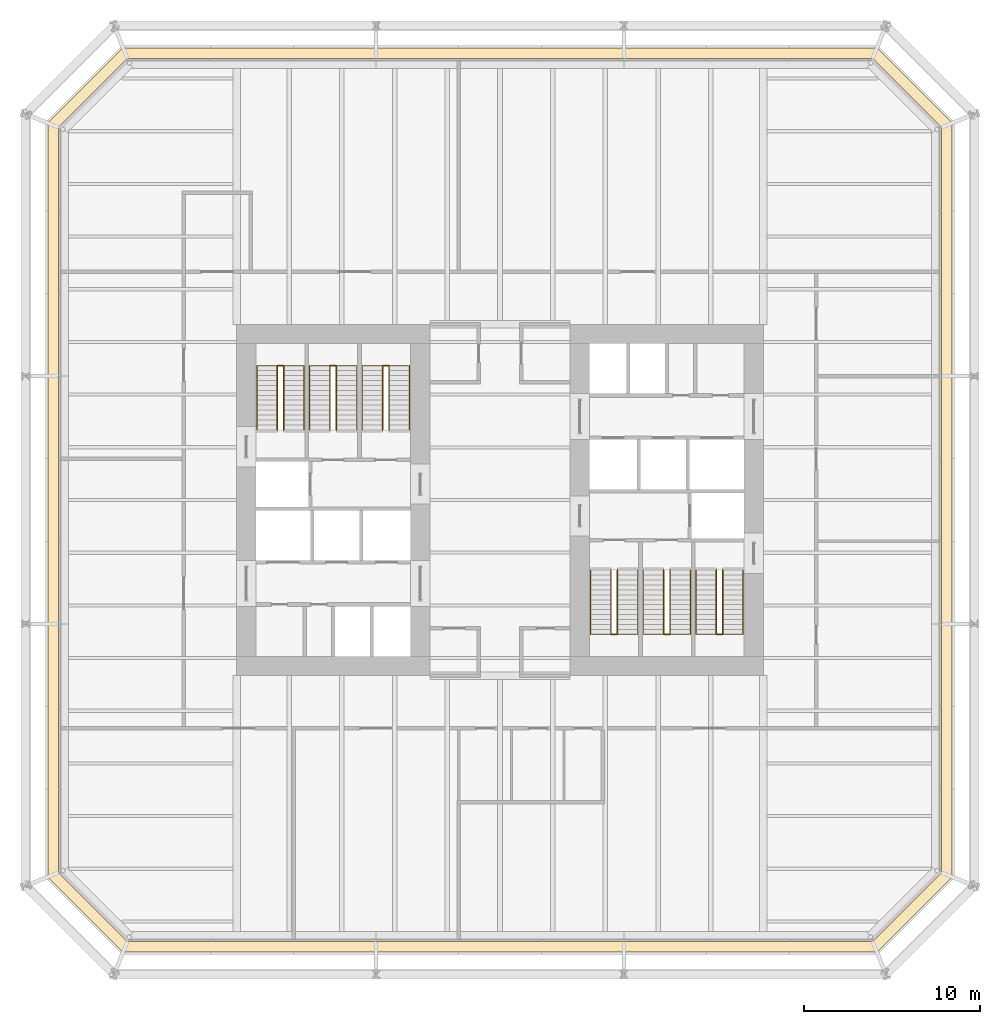
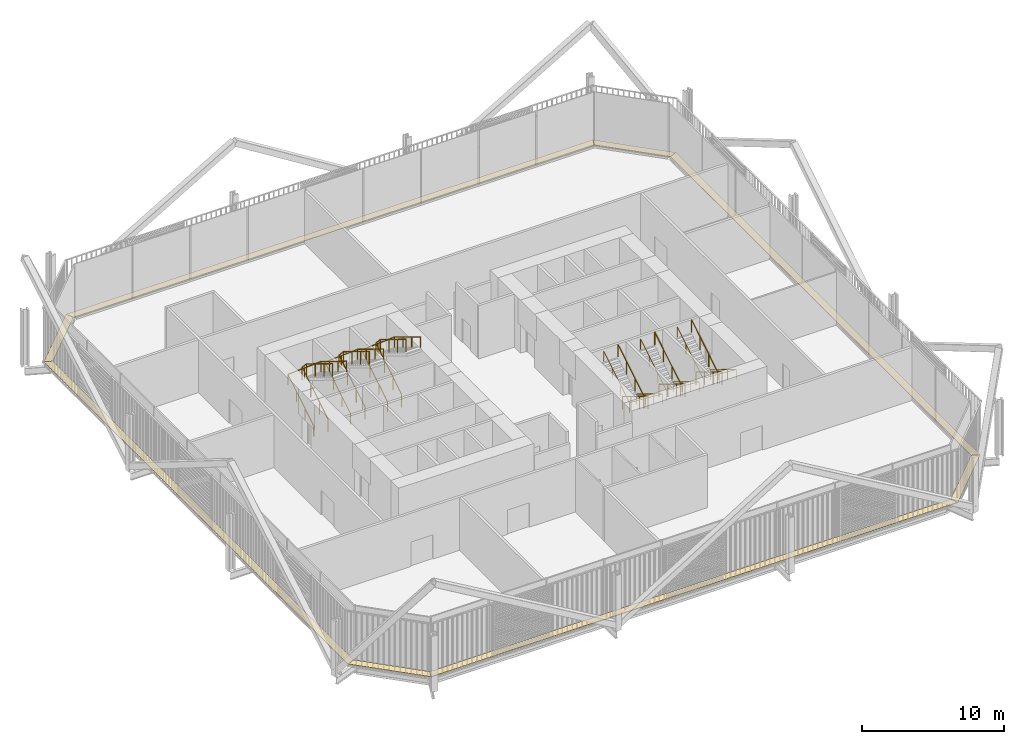
# One storey, part 22 of 22: 12 railings, 8 coverings.
"""IFC4 building model written with IfcOpenShell, lengths in metres."""

import ifcopenshell
import ifcopenshell.guid

model = None  # the IFC model being written
_history = None  # IfcOwnerHistory: only IFC2X3 demands one
_inside = {}  # id of a spatial element -> (the spatial element, [elements in it])
_under = {}  # id of a project, library or spatial element -> (it, [spatial elements below it])
_declared = {}  # id of a project -> (the project, [libraries it declares])
_typed = {}  # id of a type object -> (the type object, [elements of that type])
_made_of = {}  # id of a material, layer set ... -> (it, [elements and type objects made of it])


def new_model(schema):
    """Start an empty IFC model of exactly this schema.

    Asked for "IFC4X3", IfcOpenShell would pick the latest addendum, in which some entities
    have other attributes; the version numbers below select the first issue.
    IFC2X3 requires an IfcOwnerHistory on every rooted entity: one is made here for all.
    """
    global model, _history
    if schema == "IFC4X3":
        model = ifcopenshell.file(schema_version=(4, 3, 0, 0))
    else:
        model = ifcopenshell.file(schema=schema)
    _inside.clear()
    _under.clear()
    _declared.clear()
    _typed.clear()
    _made_of.clear()
    _history = None
    if model.schema == "IFC2X3":
        org = make("IfcOrganization", Name="unknown")
        user = make(
            "IfcPersonAndOrganization",
            ThePerson=make("IfcPerson", FamilyName="unknown"),
            TheOrganization=org,
        )
        app = make(
            "IfcApplication",
            ApplicationDeveloper=org,
            Version="unknown",
            ApplicationFullName="unknown",
            ApplicationIdentifier="unknown",
        )
        _history = make(
            "IfcOwnerHistory",
            OwningUser=user,
            OwningApplication=app,
            ChangeAction="ADDED",
            CreationDate=0,
        )
    return model


def make(cls, **values):
    """One entity of the class cls with the attributes given. An attribute that is None is left unset."""
    return model.create_entity(
        cls, **{name: value for name, value in values.items() if value is not None}
    )


def rooted(cls, **values):
    """An entity with a GlobalId (a new one), such as an element, a storey or a relation."""
    return make(cls, GlobalId=ifcopenshell.guid.new(), OwnerHistory=_history, **values)


def si_unit(unit_type, name, prefix=None):
    """IfcSIUnit, for example si_unit("LENGTHUNIT", "METRE", prefix="MILLI")."""
    return make("IfcSIUnit", UnitType=unit_type, Prefix=prefix, Name=name)


def assignment(units):
    """IfcUnitAssignment: the units of a project."""
    return None if units is None else make("IfcUnitAssignment", Units=units)


def point(xyz):
    """IfcCartesianPoint."""
    return None if xyz is None else make("IfcCartesianPoint", Coordinates=xyz)


def direction(xyz):
    """IfcDirection."""
    return None if xyz is None else make("IfcDirection", DirectionRatios=xyz)


def frame(location, z_axis=None, x_axis=None):
    """IfcAxis2Placement3D, a coordinate frame: its origin and axes. An axis left out is left unset."""
    return make(
        "IfcAxis2Placement3D",
        Location=point(location),
        Axis=direction(z_axis),
        RefDirection=direction(x_axis),
    )


def frame_2d(location, x_axis=None):
    """IfcAxis2Placement2D, a coordinate frame in the plane: its origin and x axis."""
    return make(
        "IfcAxis2Placement2D", Location=point(location), RefDirection=direction(x_axis)
    )


def origin():
    """The frame at (0, 0, 0) with its axes left unset."""
    return frame((0.0, 0.0, 0.0))


def origin_2d():
    """The frame at (0, 0) in the plane with its x axis left unset."""
    return frame_2d((0.0, 0.0))


def place(relative_to, where):
    """IfcLocalPlacement: puts the frame where relative to a parent placement (None: the world)."""
    return make(
        "IfcLocalPlacement", PlacementRelTo=relative_to, RelativePlacement=where
    )


def context(
    kind, dimensions, precision=None, world=None, true_north=None, identifier=None
):
    """IfcGeometricRepresentationContext, for example the 3D "Model" context."""
    return make(
        "IfcGeometricRepresentationContext",
        ContextIdentifier=identifier,
        ContextType=kind,
        CoordinateSpaceDimension=dimensions,
        Precision=precision,
        WorldCoordinateSystem=world,
        TrueNorth=true_north,
    )


def subcontext(parent, identifier, kind, view, scale=None):
    """IfcGeometricRepresentationSubContext, for example "Body" below "Model"."""
    return make(
        "IfcGeometricRepresentationSubContext",
        ContextIdentifier=identifier,
        ContextType=kind,
        ParentContext=parent,
        TargetScale=scale,
        TargetView=view,
    )


def project(units=None, contexts=None):
    """IfcProject with its units and contexts."""
    return rooted(
        "IfcProject",
        Name="project",
        RepresentationContexts=contexts,
        UnitsInContext=assignment(units),
    )


def spatial(cls, under=None, at=None, **own):
    """A site, building, storey or space (cls), placed at a placement, below another one or the project."""
    s = rooted(cls, ObjectPlacement=at, **own)
    if under is not None:
        _under.setdefault(under.id(), (under, []))[1].append(s)
    return s


def polyline(points):
    """IfcPolyline through the points."""
    return make("IfcPolyline", Points=[point(p) for p in points])


def profile(cls, at=None, kind="AREA", **sizes):
    """A parametric profile (cls). Its sizes go by their IFC names, for example OverallWidth=200.0."""
    return make(cls, ProfileType=kind, Position=at, **sizes)


def circle(**sizes):
    """IfcCircleProfileDef."""
    return profile("IfcCircleProfileDef", **sizes)


def outline(outer, holes=None, kind="AREA"):
    """IfcArbitraryClosedProfileDef: a profile drawn as a closed curve; with holes, ...WithVoids."""
    if holes is None:
        return make("IfcArbitraryClosedProfileDef", ProfileType=kind, OuterCurve=outer)
    return make(
        "IfcArbitraryProfileDefWithVoids",
        ProfileType=kind,
        OuterCurve=outer,
        InnerCurves=holes,
    )


def extrude(swept, where, along, depth):
    """IfcExtrudedAreaSolid: the profile swept, set in the frame where, extruded along a direction by depth."""
    return make(
        "IfcExtrudedAreaSolid",
        SweptArea=swept,
        Position=where,
        ExtrudedDirection=direction(along),
        Depth=depth,
    )


def shape(context_of_items, identifier, shape_type, items):
    """IfcShapeRepresentation: the items that make up one representation, for example the "Body"."""
    return make(
        "IfcShapeRepresentation",
        ContextOfItems=context_of_items,
        RepresentationIdentifier=identifier,
        RepresentationType=shape_type,
        Items=items,
    )


def material(Name=None, Category=None):
    """IfcMaterial."""
    return make("IfcMaterial", Name=Name, Category=Category)


def layer(
    of_material, thickness, ventilated=None, Name=None, Category=None, Priority=None
):
    """IfcMaterialLayer: one layer of a wall or slab, of a material (None: an air gap)."""
    return make(
        "IfcMaterialLayer",
        Material=of_material,
        LayerThickness=thickness,
        IsVentilated=ventilated,
        Name=Name,
        Category=Category,
        Priority=Priority,
    )


def layer_set(layers, Name=None):
    """IfcMaterialLayerSet."""
    return make("IfcMaterialLayerSet", MaterialLayers=layers, LayerSetName=Name)


def made_of(thing, what):
    """Note that an element or type object is made of a material, layer set ...; save() writes the relation."""
    if what is not None:
        _made_of.setdefault(what.id(), (what, []))[1].append(thing)
    return thing


def type_object(cls, material=None, **own):
    """A type object (cls), such as IfcWallType, which elements share."""
    return made_of(rooted(cls, **own), material)


def element(
    cls,
    number,
    at=None,
    inside=None,
    cuts=None,
    type_object=None,
    material=None,
    context=None,
    identifier="Body",
    shape_type=None,
    held_by="IfcProductDefinitionShape",
    body=None,
    shapes=None,
    **own,
):
    """One element of the class cls, such as IfcWall. Its Tag is "e" and its number.

    at: its placement. inside: the storey or other place that contains it. cuts: it is an
    opening in that element (IfcRelVoidsElement). A single representation is given by context,
    identifier, shape_type and body (its items); several are given by shapes. held_by: the class
    of the entity that holds the representations. save() writes the other relations.
    """
    e = rooted(cls, Tag="e%d" % number, ObjectPlacement=at, **own)
    if body is not None:
        shapes = [shape(context, identifier, shape_type, body)]
    if shapes is not None:
        e.Representation = make(held_by, Representations=shapes)
    if inside is not None:
        _inside.setdefault(inside.id(), (inside, []))[1].append(e)
    if cuts is not None:
        rooted(
            "IfcRelVoidsElement", RelatingBuildingElement=cuts, RelatedOpeningElement=e
        )
    if type_object is not None:
        _typed.setdefault(type_object.id(), (type_object, []))[1].append(e)
    return made_of(e, material)


def aggregate(whole, parts):
    """IfcRelAggregates: a whole, such as a stair, and the parts it consists of."""
    return rooted("IfcRelAggregates", RelatingObject=whole, RelatedObjects=parts)


def save(model, path):
    """Write the relations noted so far, then the file.

    IfcRelAggregates (storeys below a building ...), IfcRelContainedInSpatialStructure (elements
    in a storey), IfcRelDefinesByType, IfcRelAssociatesMaterial and IfcRelDeclares: one each for
    every whole, place, type object, material and project.
    """
    for whole, parts in _under.values():
        aggregate(whole, parts)
    for where, things in _inside.values():
        rooted(
            "IfcRelContainedInSpatialStructure",
            RelatedElements=things,
            RelatingStructure=where,
        )
    for kind, things in _typed.values():
        rooted("IfcRelDefinesByType", RelatedObjects=things, RelatingType=kind)
    for what, things in _made_of.values():
        rooted("IfcRelAssociatesMaterial", RelatedObjects=things, RelatingMaterial=what)
    for by, libraries in _declared.values():
        rooted("IfcRelDeclares", RelatingContext=by, RelatedDefinitions=libraries)
    model.write(path)


model = new_model("IFC4")

# Units and contexts
model_context = context("Model", 3, precision=1e-05, world=origin(), true_north=direction((0.0, 1.0)))
body_context = subcontext(model_context, "Body", "Model", "MODEL_VIEW")
ifc_project = project(units=[si_unit("LENGTHUNIT", "METRE"), si_unit("AREAUNIT", "SQUARE_METRE"), si_unit("VOLUMEUNIT", "CUBIC_METRE"), si_unit("PLANEANGLEUNIT", "RADIAN"), si_unit("MASSUNIT", "GRAM", prefix="KILO")], contexts=[model_context])

# Site, building, storey
site_placement = place(None, origin())
site = spatial("IfcSite", under=ifc_project, at=site_placement, CompositionType="ELEMENT")
building_placement = place(site_placement, origin())
building = spatial("IfcBuilding", under=site, at=building_placement, Name="Millrace Tower", CompositionType="ELEMENT")
storey_placement = place(building_placement, frame((0.0, 0.0, 20.89990234375)))
storey = spatial("IfcBuildingStorey", under=building, at=storey_placement, Name="L05", CompositionType="ELEMENT", Elevation=20.89990234375)

# Coverings
ifc_material_1 = material(Name="Steel ASTM A36", Category="steel")
ifc_layer = layer(ifc_material_1, 0.050048828125)
ifc_layer_set = layer_set([ifc_layer], Name="Steel ASTM A36")
covering_type = type_object("IfcCoveringType", Name="CAVITY CATWALK steel grating", PredefinedType="FLOORING", material=ifc_layer_set)
placement = place(storey_placement, frame((0.0, 0.0, 0.10009765625)))
element("IfcCovering", 1, at=placement, inside=storey, type_object=covering_type, Name="Cavity catwalk grating A-F01 L05 1", PredefinedType="FLOORING", context=body_context, shape_type="SweptSolid", body=[
    extrude(outline(polyline([(-25.75, -21.460693359375), (-21.460693359375, -25.75), (-21.212158203125, -25.14990234375), (-25.14990234375, -21.212158203125), (-25.75, -21.460693359375)])), origin(), (0.0, 0.0, 1.0), 0.050048828125),
])
element("IfcCovering", 2, at=placement, inside=storey, type_object=covering_type, Name="Cavity catwalk grating A-F02 L05 1", PredefinedType="FLOORING", context=body_context, shape_type="SweptSolid", body=[
    extrude(outline(polyline([(-21.460693359375, -25.75), (21.460693359375, -25.75), (21.212158203125, -25.14990234375), (-21.212158203125, -25.14990234375), (-21.460693359375, -25.75)])), origin(), (0.0, 0.0, 1.0), 0.050048828125),
])
element("IfcCovering", 3, at=placement, inside=storey, type_object=covering_type, Name="Cavity catwalk grating A-F03 L05 1", PredefinedType="FLOORING", context=body_context, shape_type="SweptSolid", body=[
    extrude(outline(polyline([(21.460693359375, -25.75), (25.75, -21.460693359375), (25.14990234375, -21.212158203125), (21.212158203125, -25.14990234375), (21.460693359375, -25.75)])), origin(), (0.0, 0.0, 1.0), 0.050048828125),
])
element("IfcCovering", 4, at=placement, inside=storey, type_object=covering_type, Name="Cavity catwalk grating A-F04 L05 1", PredefinedType="FLOORING", context=body_context, shape_type="SweptSolid", body=[
    extrude(outline(polyline([(25.75, -21.460693359375), (25.75, 21.460693359375), (25.14990234375, 21.212158203125), (25.14990234375, -21.212158203125), (25.75, -21.460693359375)])), origin(), (0.0, 0.0, 1.0), 0.050048828125),
])
element("IfcCovering", 5, at=placement, inside=storey, type_object=covering_type, Name="Cavity catwalk grating A-F05 L05 1", PredefinedType="FLOORING", context=body_context, shape_type="SweptSolid", body=[
    extrude(outline(polyline([(25.75, 21.460693359375), (21.460693359375, 25.75), (21.212158203125, 25.14990234375), (25.14990234375, 21.212158203125), (25.75, 21.460693359375)])), origin(), (0.0, 0.0, 1.0), 0.050048828125),
])
element("IfcCovering", 6, at=placement, inside=storey, type_object=covering_type, Name="Cavity catwalk grating A-F06 L05 1", PredefinedType="FLOORING", context=body_context, shape_type="SweptSolid", body=[
    extrude(outline(polyline([(21.460693359375, 25.75), (-21.460693359375, 25.75), (-21.212158203125, 25.14990234375), (21.212158203125, 25.14990234375), (21.460693359375, 25.75)])), origin(), (0.0, 0.0, 1.0), 0.050048828125),
])
element("IfcCovering", 7, at=placement, inside=storey, type_object=covering_type, Name="Cavity catwalk grating A-F07 L05 1", PredefinedType="FLOORING", context=body_context, shape_type="SweptSolid", body=[
    extrude(outline(polyline([(-21.460693359375, 25.75), (-25.75, 21.460693359375), (-25.14990234375, 21.212158203125), (-21.212158203125, 25.14990234375), (-21.460693359375, 25.75)])), origin(), (0.0, 0.0, 1.0), 0.050048828125),
])
element("IfcCovering", 8, at=placement, inside=storey, type_object=covering_type, Name="Cavity catwalk grating A-F08 L05 1", PredefinedType="FLOORING", context=body_context, shape_type="SweptSolid", body=[
    extrude(outline(polyline([(-25.75, 21.460693359375), (-25.75, -21.460693359375), (-25.14990234375, -21.212158203125), (-25.14990234375, 21.212158203125), (-25.75, 21.460693359375)])), origin(), (0.0, 0.0, 1.0), 0.050048828125),
])

# Railings
ifc_material_2 = material(Name="Stainless steel ASTM A240 type 316", Category="steel")
railing_type_1 = type_object("IfcRailingType", Name="Stair guard 1100", PredefinedType="GUARDRAIL", material=ifc_material_2)
for number, where, name in (
    (9, (-12.679931640625, 4.0, 0.17138671875), "Stair guard 1 W L05"),
    (10, (-9.679931640625, 4.0, 0.17138671875), "Stair guard 2 W L05"),
    (11, (-6.679931640625, 4.0, 0.17138671875), "Stair guard 3 W L05"),
):
    element("IfcRailing", number, at=place(storey_placement, frame(where)), inside=storey, type_object=railing_type_1, Name=name, PredefinedType="GUARDRAIL", context=body_context, shape_type="SweptSolid", body=[
        extrude(circle(Radius=0.02392578125, at=origin_2d()), frame((0.0, 0.0, 1.076171875), z_axis=(0.0, 0.852824790078, 0.522197163366), x_axis=(-1.0, 0.0, 0.0)), (0.0, 0.0, 1.0), 4.26806640625),
        extrude(circle(Radius=0.02392578125, at=origin_2d()), frame((0.0, 3.639892578125, 3.3046875), z_axis=(0.902837873996, 0.0, 0.429981131306), x_axis=(0.0, 1.0, 0.0)), (0.0, 0.0, 1.0), 0.398681640625),
        extrude(circle(Radius=0.02392578125, at=origin_2d()), frame((0.35986328125, 3.639892578125, 3.47607421875), z_axis=(0.0, -0.852850264322, 0.5221555579), x_axis=(1.0, 0.0, 0.0)), (0.0, 0.0, 1.0), 4.267822265625),
        extrude(circle(Radius=0.02099609375, at=origin_2d()), origin(), (0.0, 0.0, 1.0), 1.052001953125),
        extrude(circle(Radius=0.02099609375, at=origin_2d()), frame((0.0, 1.21337890625, 0.742919921875)), (0.0, 0.0, 1.0), 1.052001953125),
        extrude(circle(Radius=0.02099609375, at=origin_2d()), frame((0.0, 2.426513671875, 1.48583984375)), (0.0, 0.0, 1.0), 1.052001953125),
        extrude(circle(Radius=0.02099609375, at=origin_2d()), frame((0.0, 3.639892578125, 2.228759765625)), (0.0, 0.0, 1.0), 1.052001953125),
        extrude(circle(Radius=0.02099609375, at=origin_2d()), frame((0.35986328125, 3.639892578125, 2.400146484375)), (0.0, 0.0, 1.0), 1.052001953125),
        extrude(circle(Radius=0.02099609375, at=origin_2d()), frame((0.35986328125, 2.426513671875, 3.14306640625)), (0.0, 0.0, 1.0), 1.052001953125),
        extrude(circle(Radius=0.02099609375, at=origin_2d()), frame((0.35986328125, 1.21337890625, 3.8857421875)), (0.0, 0.0, 1.0), 1.052001953125),
        extrude(circle(Radius=0.02099609375, at=origin_2d()), frame((0.35986328125, 0.0, 4.628662109375)), (0.0, 0.0, 1.0), 1.052001953125),
    ])
for number, where, name in (
    (12, (12.679931640625, -4.0, 0.17138671875), "Stair guard 1 E L05"),
    (13, (9.679931640625, -4.0, 0.17138671875), "Stair guard 2 E L05"),
    (14, (6.679931640625, -4.0, 0.17138671875), "Stair guard 3 E L05"),
):
    element("IfcRailing", number, at=place(storey_placement, frame(where)), inside=storey, type_object=railing_type_1, Name=name, PredefinedType="GUARDRAIL", context=body_context, shape_type="SweptSolid", body=[
        extrude(circle(Radius=0.02392578125, at=origin_2d()), frame((0.0, 0.0, 1.076171875), z_axis=(0.0, -0.852824790078, 0.522197163366), x_axis=(1.0, 0.0, 0.0)), (0.0, 0.0, 1.0), 4.26806640625),
        extrude(circle(Radius=0.02392578125, at=origin_2d()), frame((0.0, -3.639892578125, 3.3046875), z_axis=(-0.902837873996, 0.0, 0.429981131306), x_axis=(0.0, -1.0, 0.0)), (0.0, 0.0, 1.0), 0.398681640625),
        extrude(circle(Radius=0.02392578125, at=origin_2d()), frame((-0.35986328125, -3.639892578125, 3.47607421875), z_axis=(0.0, 0.852850264322, 0.5221555579), x_axis=(-1.0, 0.0, 0.0)), (0.0, 0.0, 1.0), 4.267822265625),
        extrude(circle(Radius=0.02099609375, at=origin_2d()), origin(), (0.0, 0.0, 1.0), 1.052001953125),
        extrude(circle(Radius=0.02099609375, at=origin_2d()), frame((0.0, -1.21337890625, 0.742919921875)), (0.0, 0.0, 1.0), 1.052001953125),
        extrude(circle(Radius=0.02099609375, at=origin_2d()), frame((0.0, -2.426513671875, 1.48583984375)), (0.0, 0.0, 1.0), 1.052001953125),
        extrude(circle(Radius=0.02099609375, at=origin_2d()), frame((0.0, -3.639892578125, 2.228759765625)), (0.0, 0.0, 1.0), 1.052001953125),
        extrude(circle(Radius=0.02099609375, at=origin_2d()), frame((-0.35986328125, -3.639892578125, 2.400146484375)), (0.0, 0.0, 1.0), 1.052001953125),
        extrude(circle(Radius=0.02099609375, at=origin_2d()), frame((-0.35986328125, -2.426513671875, 3.14306640625)), (0.0, 0.0, 1.0), 1.052001953125),
        extrude(circle(Radius=0.02099609375, at=origin_2d()), frame((-0.35986328125, -1.21337890625, 3.8857421875)), (0.0, 0.0, 1.0), 1.052001953125),
        extrude(circle(Radius=0.02099609375, at=origin_2d()), frame((-0.35986328125, 0.0, 4.628662109375)), (0.0, 0.0, 1.0), 1.052001953125),
    ])
ifc_material_3 = material(Name="Stainless steel ASTM A240 type 316", Category="steel")
railing_type_2 = type_object("IfcRailingType", Name="Stair handrail 900", PredefinedType="HANDRAIL", material=ifc_material_3)
railing_1_placement = place(storey_placement, frame((-13.840087890625, 4.0, 0.17138671875)))
element("IfcRailing", 15, at=railing_1_placement, inside=storey, type_object=railing_type_2, Name="Stair handrail 1 W L05", PredefinedType="HANDRAIL", context=body_context, shape_type="SweptSolid", body=[
    extrude(circle(Radius=0.02392578125, at=origin_2d()), frame((0.0, 0.0, 0.8759765625), z_axis=(0.0, 0.852824790078, 0.522197163366), x_axis=(-1.0, 0.0, 0.0)), (0.0, 0.0, 1.0), 4.26806640625),
    extrude(circle(Radius=0.02392578125, at=origin_2d()), frame((0.0, 3.639892578125, 3.1044921875), z_axis=(0.9979616988, 0.0, 0.063815732607), x_axis=(0.0, 1.0, 0.0)), (0.0, 0.0, 1.0), 2.685546875),
    extrude(circle(Radius=0.02392578125, at=origin_2d()), frame((2.68017578125, 3.639892578125, 3.27587890625), z_axis=(0.0, -0.852850264322, 0.5221555579), x_axis=(1.0, 0.0, 0.0)), (0.0, 0.0, 1.0), 4.267822265625),
    extrude(circle(Radius=0.02099609375, at=origin_2d()), origin(), (0.0, 0.0, 1.0), 0.851806640625),
    extrude(circle(Radius=0.02099609375, at=origin_2d()), frame((0.0, 1.21337890625, 0.742919921875)), (0.0, 0.0, 1.0), 0.851806640625),
    extrude(circle(Radius=0.02099609375, at=origin_2d()), frame((0.0, 2.426513671875, 1.48583984375)), (0.0, 0.0, 1.0), 0.851806640625),
    extrude(circle(Radius=0.02099609375, at=origin_2d()), frame((0.0, 3.639892578125, 2.228759765625)), (0.0, 0.0, 1.0), 0.851806640625),
    extrude(circle(Radius=0.02099609375, at=origin_2d()), frame((1.340087890625, 3.639892578125, 2.314453125)), (0.0, 0.0, 1.0), 0.851806640625),
    extrude(circle(Radius=0.02099609375, at=origin_2d()), frame((2.68017578125, 3.639892578125, 2.400146484375)), (0.0, 0.0, 1.0), 0.851806640625),
    extrude(circle(Radius=0.02099609375, at=origin_2d()), frame((2.68017578125, 2.426513671875, 3.14306640625)), (0.0, 0.0, 1.0), 0.851806640625),
    extrude(circle(Radius=0.02099609375, at=origin_2d()), frame((2.68017578125, 1.21337890625, 3.8857421875)), (0.0, 0.0, 1.0), 0.851806640625),
    extrude(circle(Radius=0.02099609375, at=origin_2d()), frame((2.68017578125, 0.0, 4.628662109375)), (0.0, 0.0, 1.0), 0.851806640625),
])
railing_2_placement = place(storey_placement, frame((-10.840087890625, 4.0, 0.17138671875)))
element("IfcRailing", 16, at=railing_2_placement, inside=storey, type_object=railing_type_2, Name="Stair handrail 2 W L05", PredefinedType="HANDRAIL", context=body_context, shape_type="SweptSolid", body=[
    extrude(circle(Radius=0.02392578125, at=origin_2d()), frame((0.0, 0.0, 0.8759765625), z_axis=(0.0, 0.852824790078, 0.522197163366), x_axis=(-1.0, 0.0, 0.0)), (0.0, 0.0, 1.0), 4.26806640625),
    extrude(circle(Radius=0.02392578125, at=origin_2d()), frame((0.0, 3.639892578125, 3.1044921875), z_axis=(0.9979616988, 0.0, 0.063815732607), x_axis=(0.0, 1.0, 0.0)), (0.0, 0.0, 1.0), 2.685546875),
    extrude(circle(Radius=0.02392578125, at=origin_2d()), frame((2.68017578125, 3.639892578125, 3.27587890625), z_axis=(0.0, -0.852850264322, 0.5221555579), x_axis=(1.0, 0.0, 0.0)), (0.0, 0.0, 1.0), 4.267822265625),
    extrude(circle(Radius=0.02099609375, at=origin_2d()), origin(), (0.0, 0.0, 1.0), 0.851806640625),
    extrude(circle(Radius=0.02099609375, at=origin_2d()), frame((0.0, 1.21337890625, 0.742919921875)), (0.0, 0.0, 1.0), 0.851806640625),
    extrude(circle(Radius=0.02099609375, at=origin_2d()), frame((0.0, 2.426513671875, 1.48583984375)), (0.0, 0.0, 1.0), 0.851806640625),
    extrude(circle(Radius=0.02099609375, at=origin_2d()), frame((0.0, 3.639892578125, 2.228759765625)), (0.0, 0.0, 1.0), 0.851806640625),
    extrude(circle(Radius=0.02099609375, at=origin_2d()), frame((1.340087890625, 3.639892578125, 2.314453125)), (0.0, 0.0, 1.0), 0.851806640625),
    extrude(circle(Radius=0.02099609375, at=origin_2d()), frame((2.68017578125, 3.639892578125, 2.400146484375)), (0.0, 0.0, 1.0), 0.851806640625),
    extrude(circle(Radius=0.02099609375, at=origin_2d()), frame((2.68017578125, 2.426513671875, 3.14306640625)), (0.0, 0.0, 1.0), 0.851806640625),
    extrude(circle(Radius=0.02099609375, at=origin_2d()), frame((2.68017578125, 1.21337890625, 3.8857421875)), (0.0, 0.0, 1.0), 0.851806640625),
    extrude(circle(Radius=0.02099609375, at=origin_2d()), frame((2.68017578125, 0.0, 4.628662109375)), (0.0, 0.0, 1.0), 0.851806640625),
])
railing_3_placement = place(storey_placement, frame((-7.840087890625, 4.0, 0.17138671875)))
element("IfcRailing", 17, at=railing_3_placement, inside=storey, type_object=railing_type_2, Name="Stair handrail 3 W L05", PredefinedType="HANDRAIL", context=body_context, shape_type="SweptSolid", body=[
    extrude(circle(Radius=0.02392578125, at=origin_2d()), frame((0.0, 0.0, 0.8759765625), z_axis=(0.0, 0.852824790078, 0.522197163366), x_axis=(-1.0, 0.0, 0.0)), (0.0, 0.0, 1.0), 4.26806640625),
    extrude(circle(Radius=0.02392578125, at=origin_2d()), frame((0.0, 3.639892578125, 3.1044921875), z_axis=(0.9979616988, 0.0, 0.063815732607), x_axis=(0.0, 1.0, 0.0)), (0.0, 0.0, 1.0), 2.685546875),
    extrude(circle(Radius=0.02392578125, at=origin_2d()), frame((2.68017578125, 3.639892578125, 3.27587890625), z_axis=(0.0, -0.852850264322, 0.5221555579), x_axis=(1.0, 0.0, 0.0)), (0.0, 0.0, 1.0), 4.267822265625),
    extrude(circle(Radius=0.02099609375, at=origin_2d()), origin(), (0.0, 0.0, 1.0), 0.851806640625),
    extrude(circle(Radius=0.02099609375, at=origin_2d()), frame((0.0, 1.21337890625, 0.742919921875)), (0.0, 0.0, 1.0), 0.851806640625),
    extrude(circle(Radius=0.02099609375, at=origin_2d()), frame((0.0, 2.426513671875, 1.48583984375)), (0.0, 0.0, 1.0), 0.851806640625),
    extrude(circle(Radius=0.02099609375, at=origin_2d()), frame((0.0, 3.639892578125, 2.228759765625)), (0.0, 0.0, 1.0), 0.851806640625),
    extrude(circle(Radius=0.02099609375, at=origin_2d()), frame((1.340087890625, 3.639892578125, 2.314453125)), (0.0, 0.0, 1.0), 0.851806640625),
    extrude(circle(Radius=0.02099609375, at=origin_2d()), frame((2.68017578125, 3.639892578125, 2.400146484375)), (0.0, 0.0, 1.0), 0.851806640625),
    extrude(circle(Radius=0.02099609375, at=origin_2d()), frame((2.68017578125, 2.426513671875, 3.14306640625)), (0.0, 0.0, 1.0), 0.851806640625),
    extrude(circle(Radius=0.02099609375, at=origin_2d()), frame((2.68017578125, 1.21337890625, 3.8857421875)), (0.0, 0.0, 1.0), 0.851806640625),
    extrude(circle(Radius=0.02099609375, at=origin_2d()), frame((2.68017578125, 0.0, 4.628662109375)), (0.0, 0.0, 1.0), 0.851806640625),
])
railing_4_placement = place(storey_placement, frame((13.840087890625, -4.0, 0.17138671875)))
element("IfcRailing", 18, at=railing_4_placement, inside=storey, type_object=railing_type_2, Name="Stair handrail 1 E L05", PredefinedType="HANDRAIL", context=body_context, shape_type="SweptSolid", body=[
    extrude(circle(Radius=0.02392578125, at=origin_2d()), frame((0.0, 0.0, 0.8759765625), z_axis=(0.0, -0.852824790078, 0.522197163366), x_axis=(1.0, 0.0, 0.0)), (0.0, 0.0, 1.0), 4.26806640625),
    extrude(circle(Radius=0.02392578125, at=origin_2d()), frame((0.0, -3.639892578125, 3.1044921875), z_axis=(-0.9979616988, 0.0, 0.063815732607), x_axis=(0.0, -1.0, 0.0)), (0.0, 0.0, 1.0), 2.685546875),
    extrude(circle(Radius=0.02392578125, at=origin_2d()), frame((-2.68017578125, -3.639892578125, 3.27587890625), z_axis=(0.0, 0.852850264322, 0.5221555579), x_axis=(-1.0, 0.0, 0.0)), (0.0, 0.0, 1.0), 4.267822265625),
    extrude(circle(Radius=0.02099609375, at=origin_2d()), origin(), (0.0, 0.0, 1.0), 0.851806640625),
    extrude(circle(Radius=0.02099609375, at=origin_2d()), frame((0.0, -1.21337890625, 0.742919921875)), (0.0, 0.0, 1.0), 0.851806640625),
    extrude(circle(Radius=0.02099609375, at=origin_2d()), frame((0.0, -2.426513671875, 1.48583984375)), (0.0, 0.0, 1.0), 0.851806640625),
    extrude(circle(Radius=0.02099609375, at=origin_2d()), frame((0.0, -3.639892578125, 2.228759765625)), (0.0, 0.0, 1.0), 0.851806640625),
    extrude(circle(Radius=0.02099609375, at=origin_2d()), frame((-1.340087890625, -3.639892578125, 2.314453125)), (0.0, 0.0, 1.0), 0.851806640625),
    extrude(circle(Radius=0.02099609375, at=origin_2d()), frame((-2.68017578125, -3.639892578125, 2.400146484375)), (0.0, 0.0, 1.0), 0.851806640625),
    extrude(circle(Radius=0.02099609375, at=origin_2d()), frame((-2.68017578125, -2.426513671875, 3.14306640625)), (0.0, 0.0, 1.0), 0.851806640625),
    extrude(circle(Radius=0.02099609375, at=origin_2d()), frame((-2.68017578125, -1.21337890625, 3.8857421875)), (0.0, 0.0, 1.0), 0.851806640625),
    extrude(circle(Radius=0.02099609375, at=origin_2d()), frame((-2.68017578125, 0.0, 4.628662109375)), (0.0, 0.0, 1.0), 0.851806640625),
])
railing_5_placement = place(storey_placement, frame((10.840087890625, -4.0, 0.17138671875)))
element("IfcRailing", 19, at=railing_5_placement, inside=storey, type_object=railing_type_2, Name="Stair handrail 2 E L05", PredefinedType="HANDRAIL", context=body_context, shape_type="SweptSolid", body=[
    extrude(circle(Radius=0.02392578125, at=origin_2d()), frame((0.0, 0.0, 0.8759765625), z_axis=(0.0, -0.852824790078, 0.522197163366), x_axis=(1.0, 0.0, 0.0)), (0.0, 0.0, 1.0), 4.26806640625),
    extrude(circle(Radius=0.02392578125, at=origin_2d()), frame((0.0, -3.639892578125, 3.1044921875), z_axis=(-0.9979616988, 0.0, 0.063815732607), x_axis=(0.0, -1.0, 0.0)), (0.0, 0.0, 1.0), 2.685546875),
    extrude(circle(Radius=0.02392578125, at=origin_2d()), frame((-2.68017578125, -3.639892578125, 3.27587890625), z_axis=(0.0, 0.852850264322, 0.5221555579), x_axis=(-1.0, 0.0, 0.0)), (0.0, 0.0, 1.0), 4.267822265625),
    extrude(circle(Radius=0.02099609375, at=origin_2d()), origin(), (0.0, 0.0, 1.0), 0.851806640625),
    extrude(circle(Radius=0.02099609375, at=origin_2d()), frame((0.0, -1.21337890625, 0.742919921875)), (0.0, 0.0, 1.0), 0.851806640625),
    extrude(circle(Radius=0.02099609375, at=origin_2d()), frame((0.0, -2.426513671875, 1.48583984375)), (0.0, 0.0, 1.0), 0.851806640625),
    extrude(circle(Radius=0.02099609375, at=origin_2d()), frame((0.0, -3.639892578125, 2.228759765625)), (0.0, 0.0, 1.0), 0.851806640625),
    extrude(circle(Radius=0.02099609375, at=origin_2d()), frame((-1.340087890625, -3.639892578125, 2.314453125)), (0.0, 0.0, 1.0), 0.851806640625),
    extrude(circle(Radius=0.02099609375, at=origin_2d()), frame((-2.68017578125, -3.639892578125, 2.400146484375)), (0.0, 0.0, 1.0), 0.851806640625),
    extrude(circle(Radius=0.02099609375, at=origin_2d()), frame((-2.68017578125, -2.426513671875, 3.14306640625)), (0.0, 0.0, 1.0), 0.851806640625),
    extrude(circle(Radius=0.02099609375, at=origin_2d()), frame((-2.68017578125, -1.21337890625, 3.8857421875)), (0.0, 0.0, 1.0), 0.851806640625),
    extrude(circle(Radius=0.02099609375, at=origin_2d()), frame((-2.68017578125, 0.0, 4.628662109375)), (0.0, 0.0, 1.0), 0.851806640625),
])
railing_6_placement = place(storey_placement, frame((7.840087890625, -4.0, 0.17138671875)))
element("IfcRailing", 20, at=railing_6_placement, inside=storey, type_object=railing_type_2, Name="Stair handrail 3 E L05", PredefinedType="HANDRAIL", context=body_context, shape_type="SweptSolid", body=[
    extrude(circle(Radius=0.02392578125, at=origin_2d()), frame((0.0, 0.0, 0.8759765625), z_axis=(0.0, -0.852824790078, 0.522197163366), x_axis=(1.0, 0.0, 0.0)), (0.0, 0.0, 1.0), 4.26806640625),
    extrude(circle(Radius=0.02392578125, at=origin_2d()), frame((0.0, -3.639892578125, 3.1044921875), z_axis=(-0.9979616988, 0.0, 0.063815732607), x_axis=(0.0, -1.0, 0.0)), (0.0, 0.0, 1.0), 2.685546875),
    extrude(circle(Radius=0.02392578125, at=origin_2d()), frame((-2.68017578125, -3.639892578125, 3.27587890625), z_axis=(0.0, 0.852850264322, 0.5221555579), x_axis=(-1.0, 0.0, 0.0)), (0.0, 0.0, 1.0), 4.267822265625),
    extrude(circle(Radius=0.02099609375, at=origin_2d()), origin(), (0.0, 0.0, 1.0), 0.851806640625),
    extrude(circle(Radius=0.02099609375, at=origin_2d()), frame((0.0, -1.21337890625, 0.742919921875)), (0.0, 0.0, 1.0), 0.851806640625),
    extrude(circle(Radius=0.02099609375, at=origin_2d()), frame((0.0, -2.426513671875, 1.48583984375)), (0.0, 0.0, 1.0), 0.851806640625),
    extrude(circle(Radius=0.02099609375, at=origin_2d()), frame((0.0, -3.639892578125, 2.228759765625)), (0.0, 0.0, 1.0), 0.851806640625),
    extrude(circle(Radius=0.02099609375, at=origin_2d()), frame((-1.340087890625, -3.639892578125, 2.314453125)), (0.0, 0.0, 1.0), 0.851806640625),
    extrude(circle(Radius=0.02099609375, at=origin_2d()), frame((-2.68017578125, -3.639892578125, 2.400146484375)), (0.0, 0.0, 1.0), 0.851806640625),
    extrude(circle(Radius=0.02099609375, at=origin_2d()), frame((-2.68017578125, -2.426513671875, 3.14306640625)), (0.0, 0.0, 1.0), 0.851806640625),
    extrude(circle(Radius=0.02099609375, at=origin_2d()), frame((-2.68017578125, -1.21337890625, 3.8857421875)), (0.0, 0.0, 1.0), 0.851806640625),
    extrude(circle(Radius=0.02099609375, at=origin_2d()), frame((-2.68017578125, 0.0, 4.628662109375)), (0.0, 0.0, 1.0), 0.851806640625),
])

save(model, "model.ifc")
